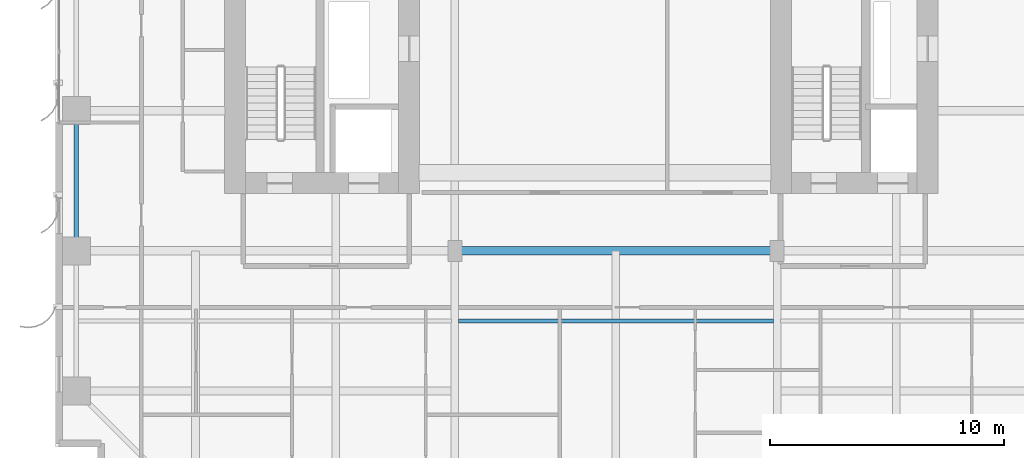
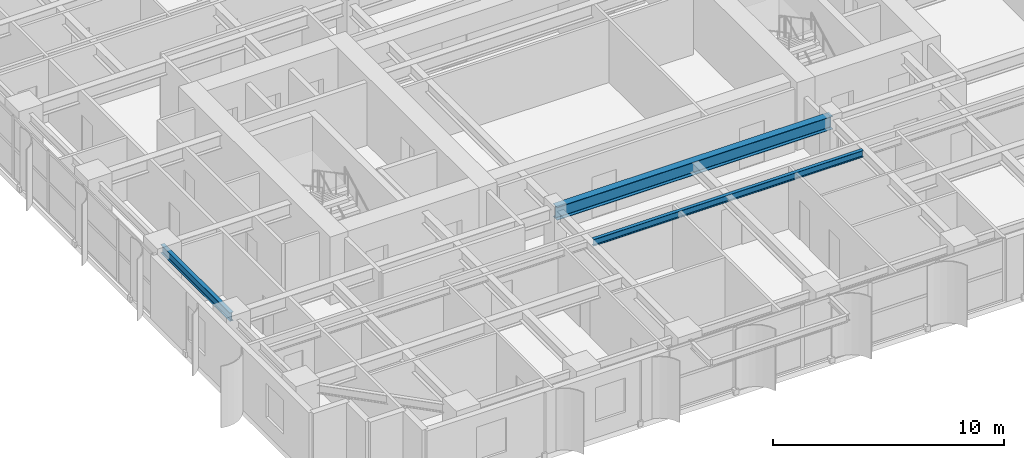
# One storey, part 4 of 25: 3 beams.
"""IFC4 building model written with IfcOpenShell, lengths in metres."""

from ifc_helpers import new_model, si_unit, direction, frame, origin, origin_2d, place, context, subcontext, project, spatial, i_section, extrude, source, transform, mapped, material, material_profile, profile_set, type_object, element, save


model = new_model("IFC4")

# Units and contexts
model_context = context("Model", 3, precision=1e-05, world=origin(), true_north=direction((0.0, 1.0)))
body_context = subcontext(model_context, "Body", "Model", "MODEL_VIEW")
ifc_project = project(units=[si_unit("LENGTHUNIT", "METRE"), si_unit("AREAUNIT", "SQUARE_METRE"), si_unit("VOLUMEUNIT", "CUBIC_METRE"), si_unit("PLANEANGLEUNIT", "RADIAN"), si_unit("MASSUNIT", "GRAM", prefix="KILO")], contexts=[model_context])

# Site, building, storey
site_placement = place(None, origin())
site = spatial("IfcSite", under=ifc_project, at=site_placement, CompositionType="ELEMENT")
building_placement = place(site_placement, origin())
building = spatial("IfcBuilding", under=site, at=building_placement, Name="Khoralis Quay Care Tower", CompositionType="ELEMENT")
storey_placement = place(building_placement, frame((0.0, 0.0, 65.699951171875)))
storey = spatial("IfcBuildingStorey", under=building, at=storey_placement, Name="L17", CompositionType="ELEMENT", Elevation=65.699951171875)

# Beams
ifc_material = material(Name="Steel S355", Category="steel")
ifc_material_profile_1 = material_profile(ifc_material, i_section(OverallWidth=0.18994140625, OverallDepth=0.449951171875, WebThickness=0.009521484375, FlangeThickness=0.0146484375, FilletRadius=0.02099609375, at=origin_2d()), Name="Steel S355")
ifc_profile_set_1 = profile_set([ifc_material_profile_1], Name="Steel S355")
beam_type_1 = type_object("IfcBeamType", Name="BM-IPE450", PredefinedType="SPANDREL", material=ifc_profile_set_1)
shared_shape_1 = source(origin(), body_context, "Body", "SweptSolid", [
    extrude(i_section(OverallWidth=0.18994140625, OverallDepth=0.449951171875, WebThickness=0.009521484375, FlangeThickness=0.0146484375, FilletRadius=0.02099609375, at=origin_2d()), origin(), (0.0, 0.0, 1.0), 6.0),
])
beam_1_placement = place(storey_placement, frame((0.89990234375, 12.0, 3.094970703125), z_axis=(0.0, 1.0, 0.0), x_axis=(-1.0, 0.0, 0.0)))
element("IfcBeam", 1, at=beam_1_placement, inside=storey, type_object=beam_type_1, Name="BM-TSP-L17-14", PredefinedType="SPANDREL", context=body_context, shape_type="MappedRepresentation", body=[
    mapped(shared_shape_1, transform((0.0, 0.0, 0.0), scale=1.0)),
])
ifc_material_profile_2 = material_profile(ifc_material, i_section(OverallWidth=0.35498046875, OverallDepth=0.695068359375, WebThickness=0.015380859375, FlangeThickness=0.02490234375, FilletRadius=0.02001953125, at=origin_2d()), Name="Steel S355")
ifc_profile_set_2 = profile_set([ifc_material_profile_2], Name="Steel S355")
beam_type_2 = type_object("IfcBeamType", Name="BM-W690X217", PredefinedType="BEAM", material=ifc_profile_set_2)
shared_shape_2 = source(origin(), body_context, "Body", "SweptSolid", [
    extrude(i_section(OverallWidth=0.35498046875, OverallDepth=0.695068359375, WebThickness=0.015380859375, FlangeThickness=0.02490234375, FilletRadius=0.02001953125, at=origin_2d()), origin(), (0.0, 0.0, 1.0), 13.7998046875),
])
beam_2_placement = place(storey_placement, frame((17.10009765625, 12.0, 2.97265625), z_axis=(1.0, 0.0, 0.0), x_axis=(0.0, 1.0, 0.0)))
element("IfcBeam", 2, at=beam_2_placement, inside=storey, type_object=beam_type_2, Name="BM-TGCC-L17-120", PredefinedType="BEAM", context=body_context, shape_type="MappedRepresentation", body=[
    mapped(shared_shape_2, transform((0.0, 0.0, 0.0), scale=1.0)),
])
ifc_material_profile_3 = material_profile(ifc_material, i_section(OverallWidth=0.1708984375, OverallDepth=0.35498046875, WebThickness=0.007080078125, FlangeThickness=0.01171875, FilletRadius=0.012939453125, at=origin_2d()), Name="Steel S355")
ifc_profile_set_3 = profile_set([ifc_material_profile_3], Name="Steel S355")
beam_type_3 = type_object("IfcBeamType", Name="BM-W360X51", PredefinedType="JOIST", material=ifc_profile_set_3)
shared_shape_3 = source(origin(), body_context, "Body", "SweptSolid", [
    extrude(i_section(OverallWidth=0.1708984375, OverallDepth=0.35498046875, WebThickness=0.007080078125, FlangeThickness=0.01171875, FilletRadius=0.012939453125, at=origin_2d()), origin(), (0.0, 0.0, 1.0), 13.4990234375),
])
beam_3_placement = place(storey_placement, frame((17.25048828125, 9.0, 3.142578125), z_axis=(1.0, 0.0, 0.0), x_axis=(0.0, 1.0, 0.0)))
element("IfcBeam", 3, at=beam_3_placement, inside=storey, type_object=beam_type_3, Name="BM-TJS-L17-31", PredefinedType="JOIST", context=body_context, shape_type="MappedRepresentation", body=[
    mapped(shared_shape_3, transform((0.0, 0.0, 0.0), scale=1.0)),
])

save(model, "model.ifc")
